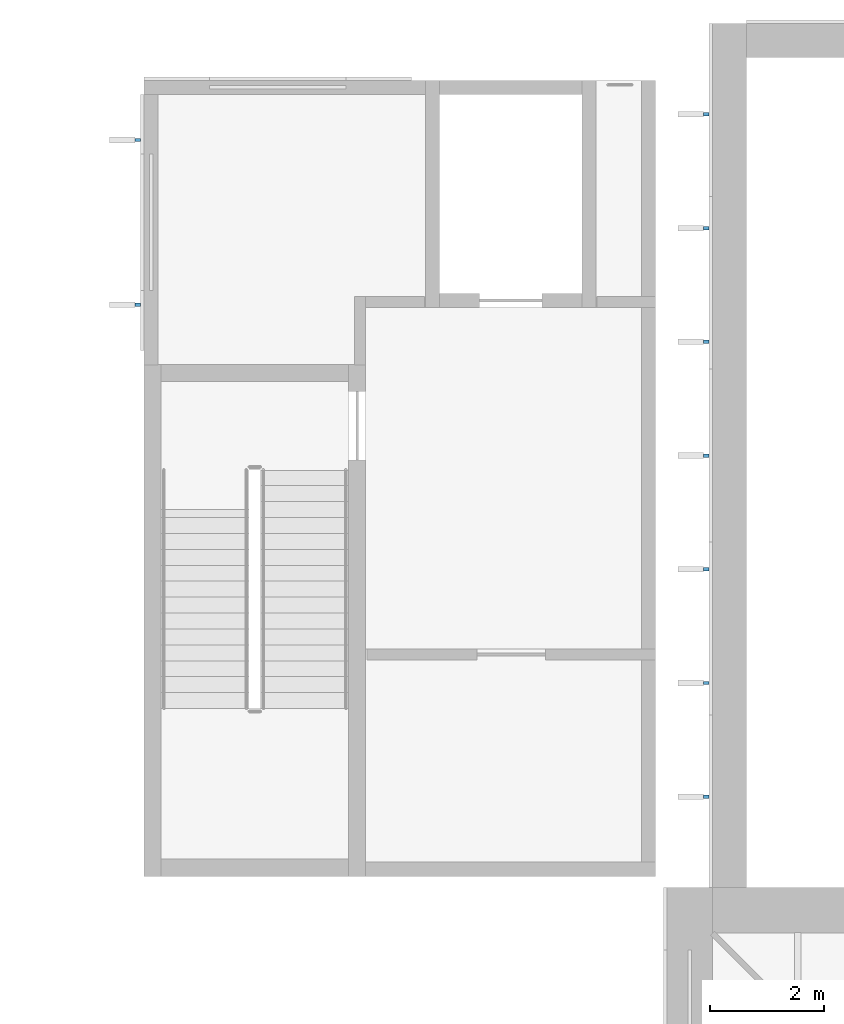
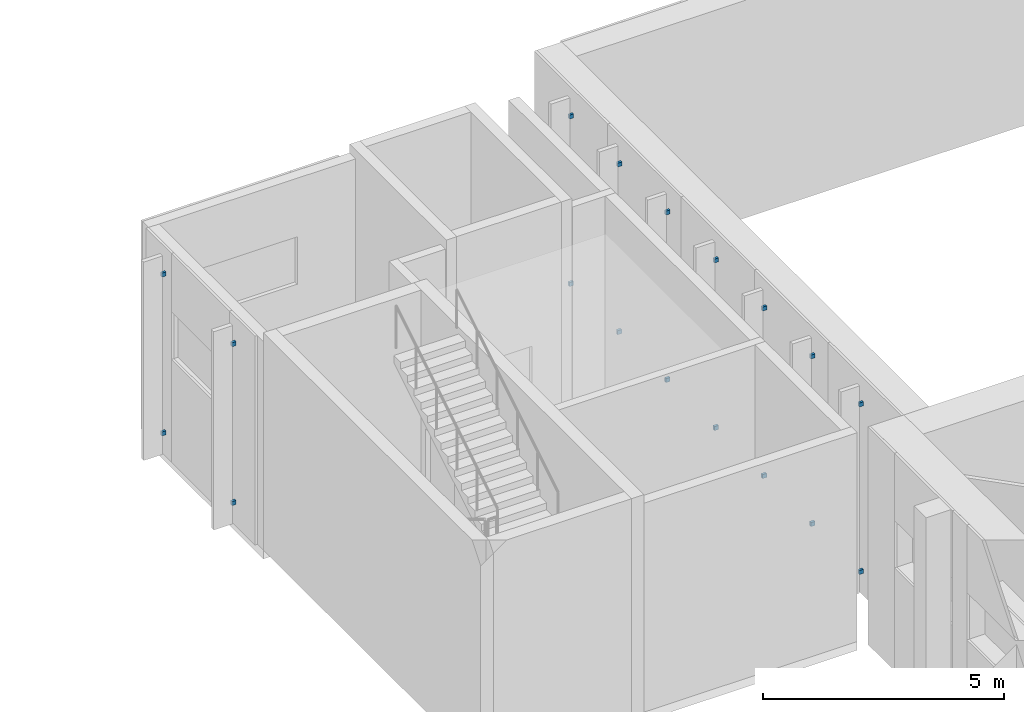
# One storey, part 79 of 94: 18 discrete accessories.
"""IFC4 building model written with IfcOpenShell, lengths in metres."""

from ifc_helpers import new_model, si_unit, direction, frame, origin, origin_2d, place, context, subcontext, project, spatial, rectangle, extrude, material, type_object, element, save


model = new_model("IFC4")

# Units and contexts
model_context = context("Model", 3, precision=1e-05, world=origin(), true_north=direction((0.0, 1.0)))
body_context = subcontext(model_context, "Body", "Model", "MODEL_VIEW")
ifc_project = project(units=[si_unit("LENGTHUNIT", "METRE"), si_unit("AREAUNIT", "SQUARE_METRE"), si_unit("VOLUMEUNIT", "CUBIC_METRE"), si_unit("PLANEANGLEUNIT", "RADIAN"), si_unit("MASSUNIT", "GRAM", prefix="KILO")], contexts=[model_context])

# Site, building, storey
site_placement = place(None, origin())
site = spatial("IfcSite", under=ifc_project, at=site_placement, CompositionType="ELEMENT")
building_placement = place(site_placement, origin())
building = spatial("IfcBuilding", under=site, at=building_placement, Name="Lunette Opera House", CompositionType="ELEMENT")
storey_placement = place(building_placement, frame((0.0, 0.0, 22.5)))
storey = spatial("IfcBuildingStorey", under=building, at=storey_placement, Name="L04", CompositionType="ELEMENT", Elevation=22.5)

# Discrete accessories
ifc_material = material(Name="Galvanised steel", Category="steel")
discrete_accessory_type = type_object("IfcDiscreteAccessoryType", Name="FIN BRACKET STEEL", PredefinedType="BRACKET", material=ifc_material)
for number, where, z_axis, x_axis, name in (
    (1, (83.889892578125, 122.39990234375, 0.56494140625), (0.0, 0.0, 1.0), (-1.0, 0.0, 0.0), "Fin bracket ST-W088 1 1"),
    (2, (83.889892578125, 122.39990234375, 4.800048828125), (0.0, 0.0, 1.0), (-1.0, 0.0, 0.0), "Fin bracket ST-W088 1 2"),
    (3, (83.889892578125, 124.39990234375, 0.56494140625), (0.0, 0.0, 1.0), (-1.0, 0.0, 0.0), "Fin bracket ST-W088 2 1"),
    (4, (83.889892578125, 124.39990234375, 4.800048828125), (0.0, 0.0, 1.0), (-1.0, 0.0, 0.0), "Fin bracket ST-W088 2 2"),
    (5, (83.889892578125, 126.39990234375, 0.56494140625), (0.0, 0.0, 1.0), (-1.0, 0.0, 0.0), "Fin bracket ST-W088 3 1"),
    (6, (83.889892578125, 126.39990234375, 4.800048828125), (0.0, 0.0, 1.0), (-1.0, 0.0, 0.0), "Fin bracket ST-W088 3 2"),
    (7, (83.889892578125, 128.39990234375, 0.56494140625), (0.0, 0.0, 1.0), (-1.0, 0.0, 0.0), "Fin bracket ST-W088 4 1"),
    (8, (83.889892578125, 128.39990234375, 4.800048828125), (0.0, 0.0, 1.0), (-1.0, 0.0, 0.0), "Fin bracket ST-W088 4 2"),
    (9, (83.889892578125, 130.39990234375, 0.56494140625), (0.0, 0.0, 1.0), (-1.0, 0.0, 0.0), "Fin bracket ST-W088 5 1"),
    (10, (83.889892578125, 130.39990234375, 4.800048828125), (0.0, 0.0, 1.0), (-1.0, 0.0, 0.0), "Fin bracket ST-W088 5 2"),
    (11, (83.889892578125, 132.39990234375, 0.56494140625), (0.0, 0.0, 1.0), (-1.0, 0.0, 0.0), "Fin bracket ST-W088 6 1"),
    (12, (83.889892578125, 132.39990234375, 4.800048828125), (0.0, 0.0, 1.0), (-1.0, 0.0, 0.0), "Fin bracket ST-W088 6 2"),
    (13, (83.889892578125, 134.39990234375, 0.56494140625), (0.0, 0.0, 1.0), (-1.0, 0.0, 0.0), "Fin bracket ST-W088 7 1"),
    (14, (83.889892578125, 134.39990234375, 4.800048828125), (0.0, 0.0, 1.0), (-1.0, 0.0, 0.0), "Fin bracket ST-W088 7 2"),
    (15, (73.889892578125, 133.949951171875, 0.56494140625), (0.0, 0.0, 1.0), (-1.0, 0.0, 0.0), "Fin bracket ST-W2032 1 1"),
    (16, (73.889892578125, 133.949951171875, 4.579833984375), (0.0, 0.0, 1.0), (-1.0, 0.0, 0.0), "Fin bracket ST-W2032 1 2"),
    (17, (73.889892578125, 131.050048828125, 0.56494140625), (0.0, 0.0, 1.0), (-1.0, 0.0, 0.0), "Fin bracket ST-W2032 2 1"),
    (18, (73.889892578125, 131.050048828125, 4.579833984375), (0.0, 0.0, 1.0), (-1.0, 0.0, 0.0), "Fin bracket ST-W2032 2 2"),
):
    element("IfcDiscreteAccessory", number, at=place(storey_placement, frame(where, z_axis=z_axis, x_axis=x_axis)), inside=storey, type_object=discrete_accessory_type, Name=name, PredefinedType="BRACKET", context=body_context, shape_type="SweptSolid", body=[
        extrude(rectangle(XDim=0.10009765625, YDim=0.06005859375, at=origin_2d()), origin(), (0.0, 0.0, 1.0), 0.10009765625),
    ])

save(model, "model.ifc")
